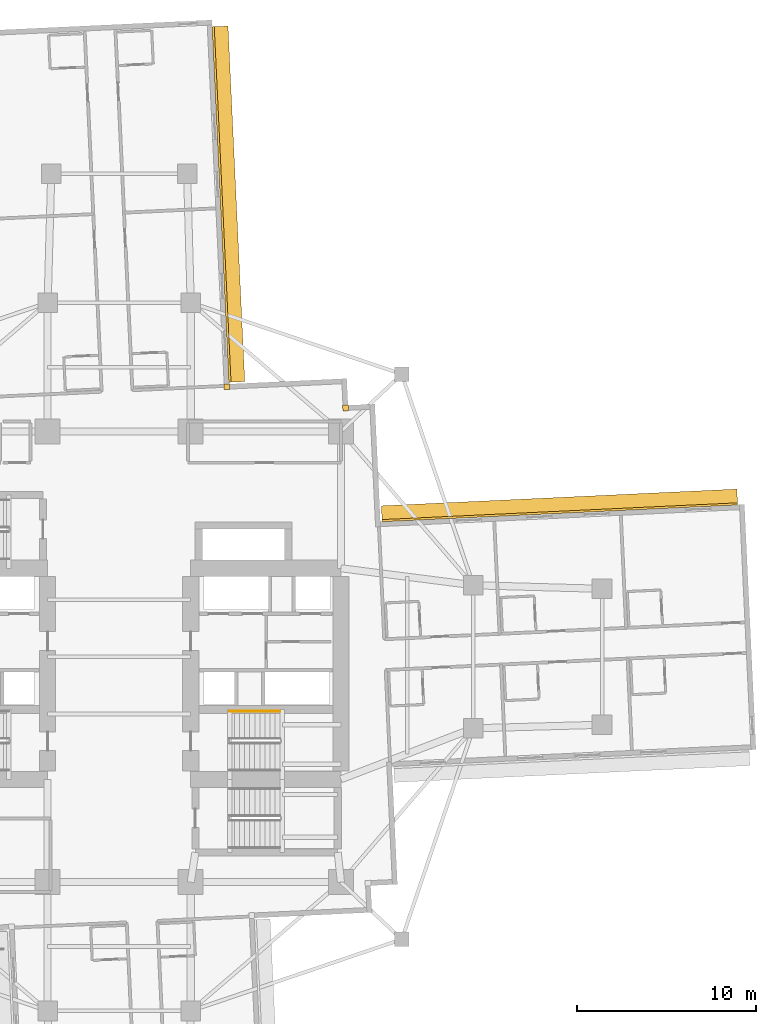
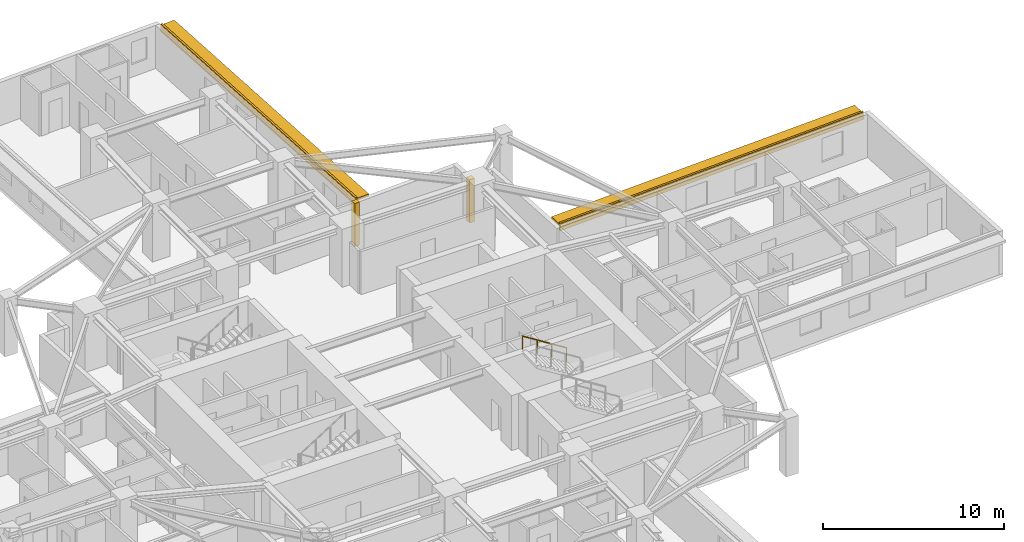
# One storey, part 14 of 14: 4 coverings, 2 shading devices, 1 railing.
"""IFC4 building model written with IfcOpenShell, lengths in metres."""

from ifc_helpers import new_model, si_unit, direction, frame, origin, origin_2d, place, context, subcontext, project, spatial, rectangle, circle, extrude, material, layer, layer_set, type_object, element, save


model = new_model("IFC4")

# Units and contexts
model_context = context("Model", 3, precision=1e-05, world=origin(), true_north=direction((0.0, 1.0)))
body_context = subcontext(model_context, "Body", "Model", "MODEL_VIEW")
ifc_project = project(units=[si_unit("LENGTHUNIT", "METRE"), si_unit("AREAUNIT", "SQUARE_METRE"), si_unit("VOLUMEUNIT", "CUBIC_METRE"), si_unit("PLANEANGLEUNIT", "RADIAN"), si_unit("MASSUNIT", "GRAM", prefix="KILO")], contexts=[model_context])

# Site, building, storey
site_placement = place(None, origin())
site = spatial("IfcSite", under=ifc_project, at=site_placement, CompositionType="ELEMENT")
building_placement = place(site_placement, origin())
building = spatial("IfcBuilding", under=site, at=building_placement, Name="Qingluan Cross Belvedere", CompositionType="ELEMENT")
storey_placement = place(building_placement, frame((0.0, 0.0, 52.199951171875)))
storey = spatial("IfcBuildingStorey", under=building, at=storey_placement, Name="L13", CompositionType="ELEMENT", Elevation=52.199951171875)

# Coverings
ifc_material_1 = material(Name="Precast concrete C45", Category="concrete")
ifc_layer_1 = layer(ifc_material_1, 0.1201171875, Name="ConcreteSpandrelCladding_120")
ifc_layer_set_1 = layer_set([ifc_layer_1], Name="Precast concrete C45")
covering_type = type_object("IfcCoveringType", Name="ConcreteSpandrelCladding_120", PredefinedType="CLADDING", material=ifc_layer_set_1)
for number, where, z_axis, x_axis, name in (
    (1, (24.63671875, 8.07958984375, 2.449951171875), (0.0, 0.0, 1.0), (-0.998889958255, -0.047104684445, 0.0), "Spandrel cladding L13-EB"),
    (2, (5.72509765625, 25.287841796875, 2.449951171875), (0.0, 0.0, 1.0), (-0.04710941444, 0.998889735192, 0.0), "Spandrel cladding L13-NA"),
):
    element("IfcCovering", number, at=place(storey_placement, frame(where, z_axis=z_axis, x_axis=x_axis)), inside=storey, type_object=covering_type, Name=name, PredefinedType="CLADDING", context=body_context, shape_type="SweptSolid", body=[
        extrude(rectangle(XDim=19.89990234375, YDim=0.1201171875, at=origin_2d()), origin(), (0.0, 0.0, 1.0), 0.52001953125),
    ])
for number, where, z_axis, x_axis, name in (
    (3, (12.65869140625, 13.911865234375, 0.0), (0.0, 0.0, 1.0), (0.998889874962, 0.04710645071, 0.0), "Corner closure L13-NE1"),
    (4, (6.015380859375, 15.10009765625, 0.0), (0.0, 0.0, 1.0), (0.998889874962, 0.04710645071, 0.0), "Corner closure L13-NE2"),
):
    element("IfcCovering", number, at=place(storey_placement, frame(where, z_axis=z_axis, x_axis=x_axis)), inside=storey, type_object=covering_type, Name=name, PredefinedType="CLADDING", context=body_context, shape_type="SweptSolid", body=[
        extrude(rectangle(XDim=0.320068359375, YDim=0.320068359375, at=origin_2d()), origin(), (0.0, 0.0, 1.0), 2.909912109375),
    ])

# Shading devices
ifc_material_2 = material(Name="Precast concrete C45", Category="concrete")
ifc_layer_2 = layer(ifc_material_2, 0.159912109375, Name="ConcreteSunshadeBand_900")
ifc_layer_set_2 = layer_set([ifc_layer_2], Name="Precast concrete C45")
shading_device_type = type_object("IfcShadingDeviceType", Name="ConcreteSunshadeBand_900", PredefinedType="USERDEFINED", material=ifc_layer_set_2)
for number, where, z_axis, x_axis, name in (
    (5, (24.618896484375, 8.458984375, 2.72998046875), (0.0, 0.0, 1.0), (-0.998889958255, -0.047104684445, 0.0), "Concrete SUNSHADE L13-EB"),
    (6, (6.104736328125, 25.3056640625, 2.72998046875), (0.0, 0.0, 1.0), (-0.04710941444, 0.998889735192, 0.0), "Concrete SUNSHADE L13-NA"),
):
    element("IfcShadingDevice", number, at=place(storey_placement, frame(where, z_axis=z_axis, x_axis=x_axis)), inside=storey, type_object=shading_device_type, Name=name, ObjectType="SUNSHADE", PredefinedType="USERDEFINED", context=body_context, shape_type="SweptSolid", body=[
        extrude(rectangle(XDim=19.89990234375, YDim=0.89990234375, at=origin_2d()), origin(), (0.0, 0.0, 1.0), 0.159912109375),
    ])

# Railing
ifc_material_3 = material(Name="Brushed stainless steel tubular handrail", Category="steel")
railing_type = type_object("IfcRailingType", Name="StairPitchHandrail_900", PredefinedType="HANDRAIL", material=ifc_material_3)
railing_placement = place(storey_placement, frame((8.97998046875, -3.050048828125, 2.12744140625)))
element("IfcRailing", 7, at=railing_placement, inside=storey, type_object=railing_type, Name="L13 ST2 stair handrail 2", PredefinedType="HANDRAIL", context=body_context, shape_type="SweptSolid", body=[
    extrude(circle(Radius=0.02392578125, at=origin_2d()), frame((0.0, 0.0, 0.8759765625), z_axis=(-0.844908973607, 0.0, 0.534910110503), x_axis=(0.0, -1.0, 0.0)), (0.0, 0.0, 1.0), 3.31396484375),
    extrude(circle(Radius=0.02099609375, at=origin_2d()), origin(), (0.0, 0.0, 1.0), 0.851806640625),
    extrude(circle(Radius=0.02099609375, at=origin_2d()), frame((-0.933349609375, 0.0, 0.5908203125)), (0.0, 0.0, 1.0), 0.851806640625),
    extrude(circle(Radius=0.02099609375, at=origin_2d()), frame((-1.86669921875, 0.0, 1.181884765625)), (0.0, 0.0, 1.0), 0.851806640625),
    extrude(circle(Radius=0.02099609375, at=origin_2d()), frame((-2.800048828125, 0.0, 1.772705078125)), (0.0, 0.0, 1.0), 0.851806640625),
])

save(model, "model.ifc")
